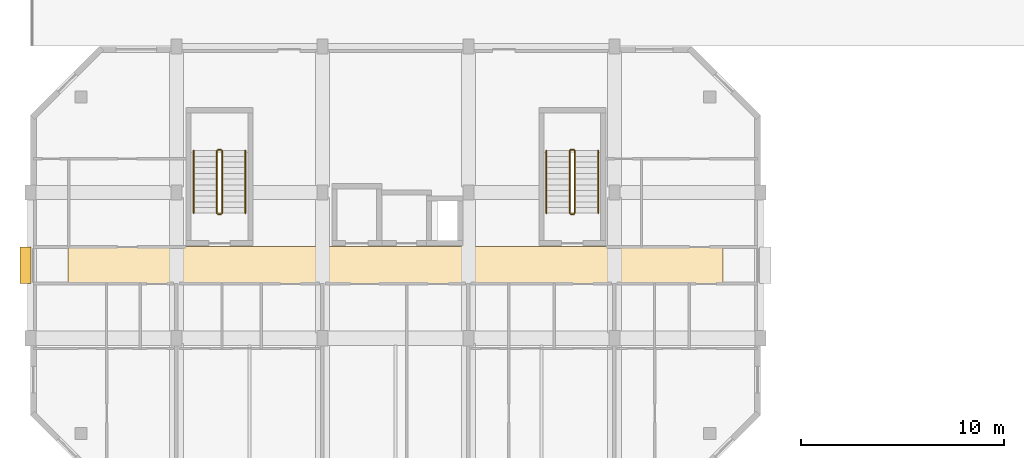
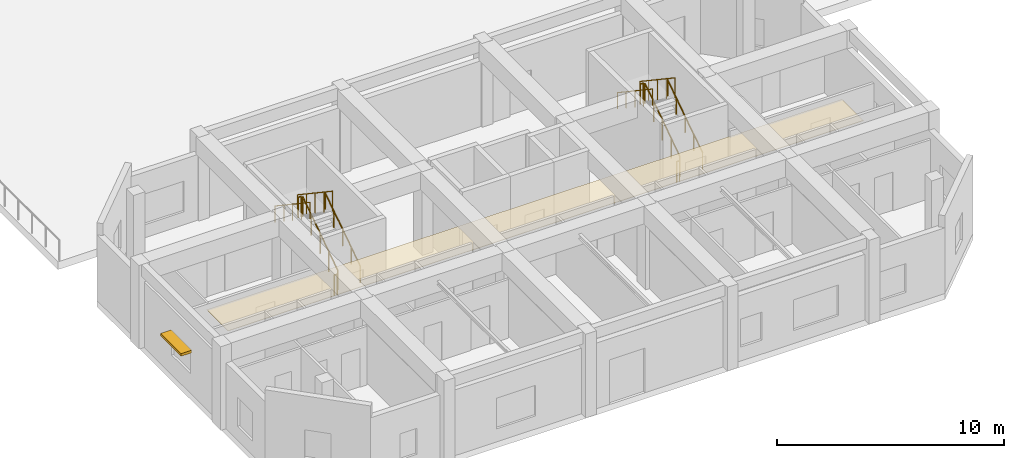
# One storey, part 73 of 85: 12 railings, 1 covering, 1 shading device.
"""IFC4 building model written with IfcOpenShell, lengths in metres."""

from ifc_helpers import new_model, si_unit, direction, frame, origin, origin_2d, place, context, subcontext, project, spatial, polyline, rectangle, circle, outline, extrude, material, layer, layer_set, type_object, element, save


model = new_model("IFC4")

# Units and contexts
model_context = context("Model", 3, precision=1e-05, world=origin(), true_north=direction((0.0, 1.0)))
body_context = subcontext(model_context, "Body", "Model", "MODEL_VIEW")
ifc_project = project(units=[si_unit("LENGTHUNIT", "METRE"), si_unit("AREAUNIT", "SQUARE_METRE"), si_unit("VOLUMEUNIT", "CUBIC_METRE"), si_unit("PLANEANGLEUNIT", "RADIAN"), si_unit("MASSUNIT", "GRAM", prefix="KILO")], contexts=[model_context])

# Site, building, storey
site_placement = place(None, origin())
site = spatial("IfcSite", under=ifc_project, at=site_placement, CompositionType="ELEMENT")
building_placement = place(site_placement, origin())
building = spatial("IfcBuilding", under=site, at=building_placement, Name="Ochrevale Crest", CompositionType="ELEMENT")
storey_placement = place(building_placement, origin())
storey = spatial("IfcBuildingStorey", under=building, at=storey_placement, Name="L00", CompositionType="ELEMENT", Elevation=0.0)

# Covering
ifc_material_1 = material(Name="Gypsum plasterboard", Category="gypsum")
ifc_layer = layer(ifc_material_1, 0.02490234375)
ifc_layer_set = layer_set([ifc_layer], Name="Gypsum plasterboard")
covering_type = type_object("IfcCoveringType", Name="COV-CEIL-GYP", PredefinedType="CEILING", material=ifc_layer_set)
covering_placement = place(storey_placement, frame((0.0, 0.0, 2.75)))
element("IfcCovering", 1, at=covering_placement, inside=storey, type_object=covering_type, Name="Block A L00 acoustic corridor ceiling", PredefinedType="CEILING", context=body_context, shape_type="SweptSolid", body=[
    extrude(outline(polyline([(1.85009765625, 24.260009765625), (34.14990234375, 24.260009765625), (34.14990234375, 26.139892578125), (1.85009765625, 26.139892578125), (1.85009765625, 24.260009765625)])), origin(), (0.0, 0.0, 1.0), 0.02490234375),
])

# Railings
ifc_material_2 = material(Name="Galvanised steel", Category="steel")
railing_type_1 = type_object("IfcRailingType", Name="RL-ST-GUARD", PredefinedType="BALUSTRADE", material=ifc_material_2)
railing_1_placement = place(storey_placement, frame((9.449951171875, 27.77490234375, 0.1875)))
element("IfcRailing", 2, at=railing_1_placement, inside=storey, type_object=railing_type_1, Name="L00 ST-A1 stair guard 1", PredefinedType="BALUSTRADE", context=body_context, shape_type="SweptSolid", body=[
    extrude(circle(Radius=0.02392578125, at=origin_2d()), frame((0.0, 0.0, 1.076171875), z_axis=(0.0, 0.830913701846, 0.55640131208), x_axis=(-1.0, 0.0, 0.0)), (0.0, 0.0, 1.0), 3.706787109375),
    extrude(circle(Radius=0.02099609375, at=origin_2d()), origin(), (0.0, 0.0, 1.0), 1.052001953125),
    extrude(circle(Radius=0.02099609375, at=origin_2d()), frame((0.0, 0.77001953125, 0.515625)), (0.0, 0.0, 1.0), 1.052001953125),
    extrude(circle(Radius=0.02099609375, at=origin_2d()), frame((0.0, 1.5400390625, 1.03125)), (0.0, 0.0, 1.0), 1.052001953125),
    extrude(circle(Radius=0.02099609375, at=origin_2d()), frame((0.0, 2.31005859375, 1.546875)), (0.0, 0.0, 1.0), 1.052001953125),
    extrude(circle(Radius=0.02099609375, at=origin_2d()), frame((0.0, 3.080078125, 2.0625)), (0.0, 0.0, 1.0), 1.052001953125),
])
railing_2_placement = place(storey_placement, frame((9.39990234375, 30.905029296875, 2.25)))
element("IfcRailing", 3, at=railing_2_placement, inside=storey, type_object=railing_type_1, Name="L00 ST-A1 stair guard 2", PredefinedType="BALUSTRADE", context=body_context, shape_type="SweptSolid", body=[
    extrude(circle(Radius=0.02392578125, at=origin_2d()), frame((0.0, 0.0, 1.076171875), z_axis=(-1.0, 0.0, 0.0), x_axis=(0.0, -1.0, 0.0)), (0.0, 0.0, 1.0), 0.14990234375),
    extrude(circle(Radius=0.02099609375, at=origin_2d()), origin(), (0.0, 0.0, 1.0), 1.052001953125),
    extrude(circle(Radius=0.02099609375, at=origin_2d()), frame((-0.14990234375, 0.0, 0.0)), (0.0, 0.0, 1.0), 1.052001953125),
])
railing_3_placement = place(storey_placement, frame((9.199951171875, 30.85498046875, 2.4375)))
element("IfcRailing", 4, at=railing_3_placement, inside=storey, type_object=railing_type_1, Name="L00 ST-A1 stair guard 3", PredefinedType="BALUSTRADE", context=body_context, shape_type="SweptSolid", body=[
    extrude(circle(Radius=0.02392578125, at=origin_2d()), frame((0.0, 0.0, 1.076171875), z_axis=(0.0, -0.830913701846, 0.55640131208), x_axis=(1.0, 0.0, 0.0)), (0.0, 0.0, 1.0), 3.706787109375),
    extrude(circle(Radius=0.02099609375, at=origin_2d()), origin(), (0.0, 0.0, 1.0), 1.052001953125),
    extrude(circle(Radius=0.02099609375, at=origin_2d()), frame((0.0, -0.77001953125, 0.515625)), (0.0, 0.0, 1.0), 1.052001953125),
    extrude(circle(Radius=0.02099609375, at=origin_2d()), frame((0.0, -1.5400390625, 1.03125)), (0.0, 0.0, 1.0), 1.052001953125),
    extrude(circle(Radius=0.02099609375, at=origin_2d()), frame((0.0, -2.31005859375, 1.546875)), (0.0, 0.0, 1.0), 1.052001953125),
    extrude(circle(Radius=0.02099609375, at=origin_2d()), frame((0.0, -3.080078125, 2.0625)), (0.0, 0.0, 1.0), 1.052001953125),
])
railing_4_placement = place(storey_placement, frame((9.39990234375, 27.72509765625, 0.0)))
element("IfcRailing", 5, at=railing_4_placement, inside=storey, type_object=railing_type_1, Name="L00 ST-A1 stair guard 4", PredefinedType="BALUSTRADE", context=body_context, shape_type="SweptSolid", body=[
    extrude(circle(Radius=0.02392578125, at=origin_2d()), frame((0.0, 0.0, 1.076171875), z_axis=(-1.0, 0.0, 0.0), x_axis=(0.0, -1.0, 0.0)), (0.0, 0.0, 1.0), 0.14990234375),
    extrude(circle(Radius=0.02099609375, at=origin_2d()), origin(), (0.0, 0.0, 1.0), 1.052001953125),
    extrude(circle(Radius=0.02099609375, at=origin_2d()), frame((-0.14990234375, 0.0, 0.0)), (0.0, 0.0, 1.0), 1.052001953125),
])
railing_5_placement = place(storey_placement, frame((26.85009765625, 27.77490234375, 0.1875)))
element("IfcRailing", 6, at=railing_5_placement, inside=storey, type_object=railing_type_1, Name="L00 ST-A2 stair guard 1", PredefinedType="BALUSTRADE", context=body_context, shape_type="SweptSolid", body=[
    extrude(circle(Radius=0.02392578125, at=origin_2d()), frame((0.0, 0.0, 1.076171875), z_axis=(0.0, 0.830913701846, 0.55640131208), x_axis=(-1.0, 0.0, 0.0)), (0.0, 0.0, 1.0), 3.706787109375),
    extrude(circle(Radius=0.02099609375, at=origin_2d()), origin(), (0.0, 0.0, 1.0), 1.052001953125),
    extrude(circle(Radius=0.02099609375, at=origin_2d()), frame((0.0, 0.77001953125, 0.515625)), (0.0, 0.0, 1.0), 1.052001953125),
    extrude(circle(Radius=0.02099609375, at=origin_2d()), frame((0.0, 1.5400390625, 1.03125)), (0.0, 0.0, 1.0), 1.052001953125),
    extrude(circle(Radius=0.02099609375, at=origin_2d()), frame((0.0, 2.31005859375, 1.546875)), (0.0, 0.0, 1.0), 1.052001953125),
    extrude(circle(Radius=0.02099609375, at=origin_2d()), frame((0.0, 3.080078125, 2.0625)), (0.0, 0.0, 1.0), 1.052001953125),
])
railing_6_placement = place(storey_placement, frame((26.800048828125, 30.905029296875, 2.25)))
element("IfcRailing", 7, at=railing_6_placement, inside=storey, type_object=railing_type_1, Name="L00 ST-A2 stair guard 2", PredefinedType="BALUSTRADE", context=body_context, shape_type="SweptSolid", body=[
    extrude(circle(Radius=0.02392578125, at=origin_2d()), frame((0.0, 0.0, 1.076171875), z_axis=(-1.0, 0.0, 0.0), x_axis=(0.0, -1.0, 0.0)), (0.0, 0.0, 1.0), 0.150146484375),
    extrude(circle(Radius=0.02099609375, at=origin_2d()), origin(), (0.0, 0.0, 1.0), 1.052001953125),
    extrude(circle(Radius=0.02099609375, at=origin_2d()), frame((-0.150146484375, 0.0, 0.0)), (0.0, 0.0, 1.0), 1.052001953125),
])
railing_7_placement = place(storey_placement, frame((26.60009765625, 30.85498046875, 2.4375)))
element("IfcRailing", 8, at=railing_7_placement, inside=storey, type_object=railing_type_1, Name="L00 ST-A2 stair guard 3", PredefinedType="BALUSTRADE", context=body_context, shape_type="SweptSolid", body=[
    extrude(circle(Radius=0.02392578125, at=origin_2d()), frame((0.0, 0.0, 1.076171875), z_axis=(0.0, -0.830913701846, 0.55640131208), x_axis=(1.0, 0.0, 0.0)), (0.0, 0.0, 1.0), 3.706787109375),
    extrude(circle(Radius=0.02099609375, at=origin_2d()), origin(), (0.0, 0.0, 1.0), 1.052001953125),
    extrude(circle(Radius=0.02099609375, at=origin_2d()), frame((0.0, -0.77001953125, 0.515625)), (0.0, 0.0, 1.0), 1.052001953125),
    extrude(circle(Radius=0.02099609375, at=origin_2d()), frame((0.0, -1.5400390625, 1.03125)), (0.0, 0.0, 1.0), 1.052001953125),
    extrude(circle(Radius=0.02099609375, at=origin_2d()), frame((0.0, -2.31005859375, 1.546875)), (0.0, 0.0, 1.0), 1.052001953125),
    extrude(circle(Radius=0.02099609375, at=origin_2d()), frame((0.0, -3.080078125, 2.0625)), (0.0, 0.0, 1.0), 1.052001953125),
])
railing_8_placement = place(storey_placement, frame((26.800048828125, 27.72509765625, 0.0)))
element("IfcRailing", 9, at=railing_8_placement, inside=storey, type_object=railing_type_1, Name="L00 ST-A2 stair guard 4", PredefinedType="BALUSTRADE", context=body_context, shape_type="SweptSolid", body=[
    extrude(circle(Radius=0.02392578125, at=origin_2d()), frame((0.0, 0.0, 1.076171875), z_axis=(-1.0, 0.0, 0.0), x_axis=(0.0, -1.0, 0.0)), (0.0, 0.0, 1.0), 0.150146484375),
    extrude(circle(Radius=0.02099609375, at=origin_2d()), origin(), (0.0, 0.0, 1.0), 1.052001953125),
    extrude(circle(Radius=0.02099609375, at=origin_2d()), frame((-0.150146484375, 0.0, 0.0)), (0.0, 0.0, 1.0), 1.052001953125),
])
ifc_material_3 = material(Name="Stainless steel", Category="steel")
railing_type_2 = type_object("IfcRailingType", Name="RL-ST-HRAIL", PredefinedType="HANDRAIL", material=ifc_material_3)
railing_9_placement = place(storey_placement, frame((10.60009765625, 27.77490234375, 0.1875)))
element("IfcRailing", 10, at=railing_9_placement, inside=storey, type_object=railing_type_2, Name="L00 ST-A1 stair handrail 1", PredefinedType="HANDRAIL", context=body_context, shape_type="SweptSolid", body=[
    extrude(circle(Radius=0.02392578125, at=origin_2d()), frame((0.0, 0.0, 0.8759765625), z_axis=(0.0, 0.830913701846, 0.55640131208), x_axis=(-1.0, 0.0, 0.0)), (0.0, 0.0, 1.0), 3.706787109375),
    extrude(circle(Radius=0.02099609375, at=origin_2d()), origin(), (0.0, 0.0, 1.0), 0.851806640625),
    extrude(circle(Radius=0.02099609375, at=origin_2d()), frame((0.0, 0.77001953125, 0.515625)), (0.0, 0.0, 1.0), 0.851806640625),
    extrude(circle(Radius=0.02099609375, at=origin_2d()), frame((0.0, 1.5400390625, 1.03125)), (0.0, 0.0, 1.0), 0.851806640625),
    extrude(circle(Radius=0.02099609375, at=origin_2d()), frame((0.0, 2.31005859375, 1.546875)), (0.0, 0.0, 1.0), 0.851806640625),
    extrude(circle(Radius=0.02099609375, at=origin_2d()), frame((0.0, 3.080078125, 2.0625)), (0.0, 0.0, 1.0), 0.851806640625),
])
railing_10_placement = place(storey_placement, frame((8.050048828125, 30.85498046875, 2.4375)))
element("IfcRailing", 11, at=railing_10_placement, inside=storey, type_object=railing_type_2, Name="L00 ST-A1 stair handrail 2", PredefinedType="HANDRAIL", context=body_context, shape_type="SweptSolid", body=[
    extrude(circle(Radius=0.02392578125, at=origin_2d()), frame((0.0, 0.0, 0.8759765625), z_axis=(0.0, -0.830913701846, 0.55640131208), x_axis=(1.0, 0.0, 0.0)), (0.0, 0.0, 1.0), 3.706787109375),
    extrude(circle(Radius=0.02099609375, at=origin_2d()), origin(), (0.0, 0.0, 1.0), 0.851806640625),
    extrude(circle(Radius=0.02099609375, at=origin_2d()), frame((0.0, -0.77001953125, 0.515625)), (0.0, 0.0, 1.0), 0.851806640625),
    extrude(circle(Radius=0.02099609375, at=origin_2d()), frame((0.0, -1.5400390625, 1.03125)), (0.0, 0.0, 1.0), 0.851806640625),
    extrude(circle(Radius=0.02099609375, at=origin_2d()), frame((0.0, -2.31005859375, 1.546875)), (0.0, 0.0, 1.0), 0.851806640625),
    extrude(circle(Radius=0.02099609375, at=origin_2d()), frame((0.0, -3.080078125, 2.0625)), (0.0, 0.0, 1.0), 0.851806640625),
])
railing_11_placement = place(storey_placement, frame((28.0, 27.77490234375, 0.1875)))
element("IfcRailing", 12, at=railing_11_placement, inside=storey, type_object=railing_type_2, Name="L00 ST-A2 stair handrail 1", PredefinedType="HANDRAIL", context=body_context, shape_type="SweptSolid", body=[
    extrude(circle(Radius=0.02392578125, at=origin_2d()), frame((0.0, 0.0, 0.8759765625), z_axis=(0.0, 0.830913701846, 0.55640131208), x_axis=(-1.0, 0.0, 0.0)), (0.0, 0.0, 1.0), 3.706787109375),
    extrude(circle(Radius=0.02099609375, at=origin_2d()), origin(), (0.0, 0.0, 1.0), 0.851806640625),
    extrude(circle(Radius=0.02099609375, at=origin_2d()), frame((0.0, 0.77001953125, 0.515625)), (0.0, 0.0, 1.0), 0.851806640625),
    extrude(circle(Radius=0.02099609375, at=origin_2d()), frame((0.0, 1.5400390625, 1.03125)), (0.0, 0.0, 1.0), 0.851806640625),
    extrude(circle(Radius=0.02099609375, at=origin_2d()), frame((0.0, 2.31005859375, 1.546875)), (0.0, 0.0, 1.0), 0.851806640625),
    extrude(circle(Radius=0.02099609375, at=origin_2d()), frame((0.0, 3.080078125, 2.0625)), (0.0, 0.0, 1.0), 0.851806640625),
])
railing_12_placement = place(storey_placement, frame((25.449951171875, 30.85498046875, 2.4375)))
element("IfcRailing", 13, at=railing_12_placement, inside=storey, type_object=railing_type_2, Name="L00 ST-A2 stair handrail 2", PredefinedType="HANDRAIL", context=body_context, shape_type="SweptSolid", body=[
    extrude(circle(Radius=0.02392578125, at=origin_2d()), frame((0.0, 0.0, 0.8759765625), z_axis=(0.0, -0.830913701846, 0.55640131208), x_axis=(1.0, 0.0, 0.0)), (0.0, 0.0, 1.0), 3.706787109375),
    extrude(circle(Radius=0.02099609375, at=origin_2d()), origin(), (0.0, 0.0, 1.0), 0.851806640625),
    extrude(circle(Radius=0.02099609375, at=origin_2d()), frame((0.0, -0.77001953125, 0.515625)), (0.0, 0.0, 1.0), 0.851806640625),
    extrude(circle(Radius=0.02099609375, at=origin_2d()), frame((0.0, -1.5400390625, 1.03125)), (0.0, 0.0, 1.0), 0.851806640625),
    extrude(circle(Radius=0.02099609375, at=origin_2d()), frame((0.0, -2.31005859375, 1.546875)), (0.0, 0.0, 1.0), 0.851806640625),
    extrude(circle(Radius=0.02099609375, at=origin_2d()), frame((0.0, -3.080078125, 2.0625)), (0.0, 0.0, 1.0), 0.851806640625),
])

# Shading device
ifc_material_4 = material(Name="Anodised aluminium 6063-T5", Category="aluminium")
shading_device_type = type_object("IfcShadingDeviceType", Name="SHD-SUNSHADE-OC", PredefinedType="USERDEFINED", material=ifc_material_4)
shading_device_placement = place(storey_placement, frame((-0.239990234375, 25.199951171875, 2.2099609375), z_axis=(0.0, 0.0, 1.0), x_axis=(1.0, 0.0, 0.0)))
element("IfcShadingDevice", 14, at=shading_device_placement, inside=storey, type_object=shading_device_type, Name="Block A L00 gable window sunshade W", ObjectType="HORIZONTAL SUNSHADE", PredefinedType="USERDEFINED", context=body_context, shape_type="SweptSolid", body=[
    extrude(rectangle(XDim=0.550048828125, YDim=1.800048828125, at=origin_2d()), origin(), (0.0, 0.0, 1.0), 0.139892578125),
])

save(model, "model.ifc")
